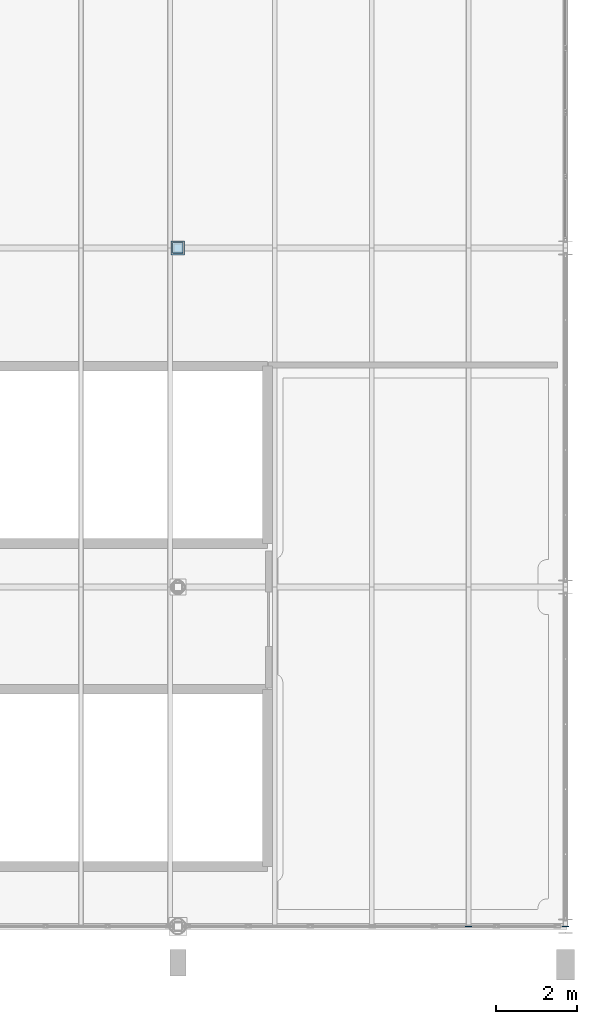
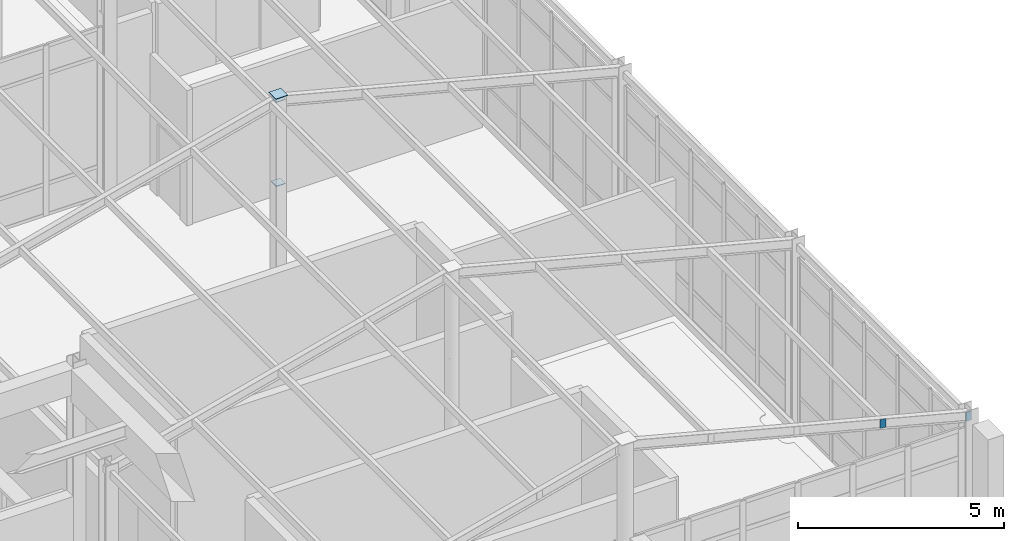
# One storey, part 106 of 121: 5 plates.
"""IFC4 building model written with IfcOpenShell, lengths in metres."""

from ifc_helpers import new_model, si_unit, direction, frame, origin, origin_2d, place, context, subcontext, project, spatial, rectangle, extrude, material, layer, layer_set, type_object, element, save


model = new_model("IFC4")

# Units and contexts
model_context = context("Model", 3, precision=1e-05, world=origin(), true_north=direction((0.0, 1.0)))
body_context = subcontext(model_context, "Body", "Model", "MODEL_VIEW")
ifc_project = project(units=[si_unit("LENGTHUNIT", "METRE"), si_unit("AREAUNIT", "SQUARE_METRE"), si_unit("VOLUMEUNIT", "CUBIC_METRE"), si_unit("PLANEANGLEUNIT", "RADIAN"), si_unit("MASSUNIT", "GRAM", prefix="KILO")], contexts=[model_context])

# Site, building, storey
site_placement = place(None, origin())
site = spatial("IfcSite", under=ifc_project, at=site_placement, CompositionType="ELEMENT")
building_placement = place(site_placement, origin())
building = spatial("IfcBuilding", under=site, at=building_placement, Name="Canglan Escarpment Cableway Terminal", CompositionType="ELEMENT")
storey_placement = place(building_placement, frame((0.0, 0.0, 24.60009765625)))
storey = spatial("IfcBuildingStorey", under=building, at=storey_placement, Name="L05", CompositionType="ELEMENT", Elevation=24.60009765625)

# Plates
ifc_material = material(Name="Steel Q355B", Category="steel")
ifc_layer_1 = layer(ifc_material, 0.01611328125, Name="Steel Q355B")
ifc_layer_set_1 = layer_set([ifc_layer_1], Name="Steel Q355B")
plate_type_1 = type_object("IfcPlateType", Name="PLT-CAP-16", PredefinedType="SHEET", material=ifc_layer_set_1)
plate_placement = place(storey_placement, frame((156.800048828125, 24.800048828125, 8.015869140625), z_axis=(0.0, 0.0, 1.0), x_axis=(1.0, 0.0, 0.0)))
element("IfcPlate", 1, at=plate_placement, inside=storey, type_object=plate_type_1, Name="Welded hollow column end cap plate CP-01", PredefinedType="SHEET", context=body_context, shape_type="SweptSolid", body=[
    extrude(rectangle(XDim=0.340087890625, YDim=0.340087890625, at=origin_2d()), origin(), (0.0, 0.0, 1.0), 0.01611328125),
])
for number, where, z_axis, x_axis, name in (
    (2, (164.0, 7.99609375, 5.82470703125), (0.0, 0.0, 1.0), (1.0, 0.0, 0.0), "Welded hollow purlin end cap plate CP-01"),
    (3, (166.39990234375, 7.99609375, 5.19970703125), (0.0, 0.0, 1.0), (1.0, 0.0, 0.0), "Welded hollow purlin end cap plate CP-01"),
):
    element("IfcPlate", number, at=place(storey_placement, frame(where, z_axis=z_axis, x_axis=x_axis)), inside=storey, type_object=plate_type_1, Name=name, PredefinedType="SHEET", context=body_context, shape_type="SweptSolid", body=[
        extrude(rectangle(XDim=0.159912109375, YDim=0.01611328125, at=origin_2d()), origin(), (0.0, 0.0, 1.0), 0.260009765625),
    ])
ifc_layer_2 = layer(ifc_material, 0.01611328125, Name="Steel Q355B")
ifc_layer_set_2 = layer_set([ifc_layer_2], Name="Steel Q355B")
plate_type_2 = type_object("IfcPlateType", Name="PLT-GUSSET-16", PredefinedType="USERDEFINED", material=ifc_layer_set_2)
for number, where, z_axis, x_axis, name in (
    (4, (156.800048828125, 24.800048828125, 5.39990234375), (0.0, 0.0, 1.0), (1.0, 0.0, 0.0), "Ridge post end connection plate GP-03"),
    (5, (156.800048828125, 24.800048828125, 7.8837890625), (0.0, 0.0, 1.0), (1.0, 0.0, 0.0), "Ridge post end connection plate GP-03"),
):
    element("IfcPlate", number, at=place(storey_placement, frame(where, z_axis=z_axis, x_axis=x_axis)), inside=storey, type_object=plate_type_2, Name=name, ObjectType="GUSSET PLATE", PredefinedType="USERDEFINED", context=body_context, shape_type="SweptSolid", body=[
        extrude(rectangle(XDim=0.260009765625, YDim=0.260009765625, at=origin_2d()), origin(), (0.0, 0.0, 1.0), 0.01611328125),
    ])

save(model, "model.ifc")
